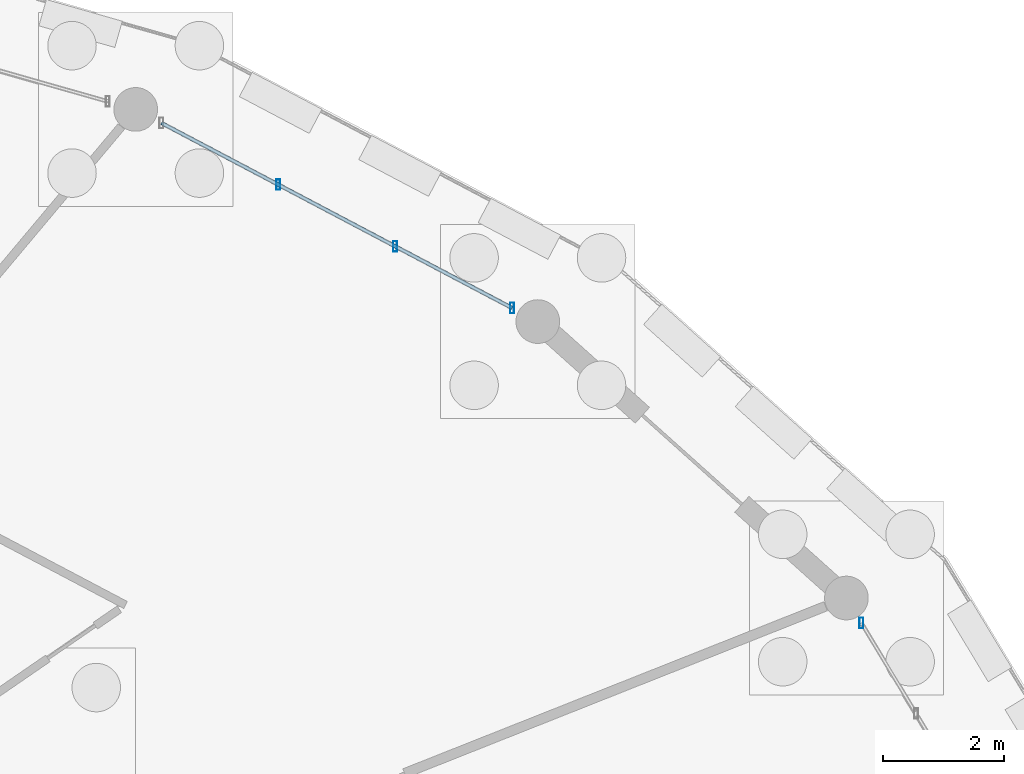
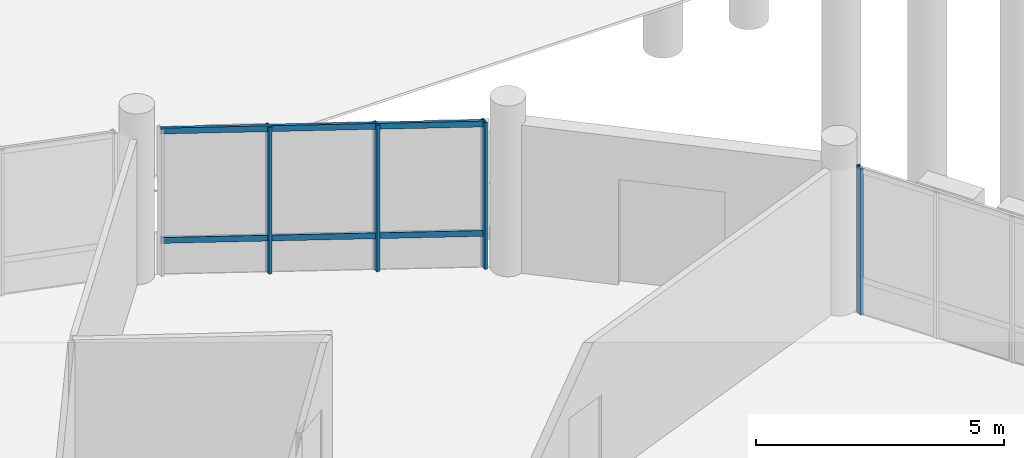
# One storey, part 42 of 98: 6 members, 2 elements without a shape of their own.
"""IFC4 building model written with IfcOpenShell, lengths in metres."""

from ifc_helpers import new_model, si_unit, direction, frame, origin, origin_2d, place, context, subcontext, project, spatial, hollow_rectangle, extrude, material, material_profile, profile_set, type_object, element, aggregate, save


model = new_model("IFC4")

# Units and contexts
model_context = context("Model", 3, precision=1e-05, world=origin(), true_north=direction((0.0, 1.0)))
body_context = subcontext(model_context, "Body", "Model", "MODEL_VIEW")
ifc_project = project(units=[si_unit("LENGTHUNIT", "METRE"), si_unit("AREAUNIT", "SQUARE_METRE"), si_unit("VOLUMEUNIT", "CUBIC_METRE"), si_unit("PLANEANGLEUNIT", "RADIAN"), si_unit("MASSUNIT", "GRAM", prefix="KILO")], contexts=[model_context])

# Site, building, storey
site_placement = place(None, origin())
site = spatial("IfcSite", under=ifc_project, at=site_placement, CompositionType="ELEMENT")
building_placement = place(site_placement, origin())
building = spatial("IfcBuilding", under=site, at=building_placement, Name="Zornivar Specialist Clinic", CompositionType="ELEMENT")
storey_placement = place(building_placement, origin())
storey = spatial("IfcBuildingStorey", under=building, at=storey_placement, Name="L00", CompositionType="ELEMENT", Elevation=0.0)

# Curtain wall, member
ifc_material_1 = material(Name="Aluminium and Low-E Glass Curtain Wall", Category="aluminium")
curtain_wall_type = type_object("IfcCurtainWallType", Name="CW-DRUM-FACET", PredefinedType="NOTDEFINED", material=ifc_material_1)
curtain_wall_1_placement = place(storey_placement, origin())
curtain_wall_1 = element("IfcCurtainWall", 1, at=curtain_wall_1_placement, inside=storey, type_object=curtain_wall_type, Name="cw:V1:L00:c01", PredefinedType="NOTDEFINED")
ifc_material_2 = material(Name="Aluminium AW-6060", Category="aluminium")
ifc_material_profile_1 = material_profile(ifc_material_2, hollow_rectangle(XDim=0.06494140625, YDim=0.175048828125, WallThickness=0.00439453125, at=origin_2d()), Name="ALU 65x175x4.5")
ifc_profile_set_1 = profile_set([ifc_material_profile_1], Name="Aluminium AW-6060")
member_type_1 = type_object("IfcMemberType", Name="CWM-MUL-175", PredefinedType="MULLION", material=ifc_profile_set_1)
member_1_placement = place(storey_placement, frame((121.56103515625, 68.18896484375, 0.0), z_axis=(0.0, 0.0, 1.0), x_axis=(1.0, 0.0, 0.0)))
member_1 = element("IfcMember", 2, at=member_1_placement, type_object=member_type_1, Name="cw:V1:L00:c01:mul:3", PredefinedType="MULLION", context=body_context, shape_type="SweptSolid", body=[
    extrude(hollow_rectangle(XDim=0.06494140625, YDim=0.175048828125, WallThickness=0.00439453125, at=origin_2d()), origin(), (0.0, 0.0, 1.0), 3.610107421875),
])
aggregate(curtain_wall_1, [member_1])

# Curtain wall, members
curtain_wall_2_placement = place(storey_placement, origin())
curtain_wall_2 = element("IfcCurtainWall", 3, at=curtain_wall_2_placement, inside=storey, type_object=curtain_wall_type, Name="cw:V1:L00:c03", PredefinedType="NOTDEFINED")
member_2_placement = place(storey_placement, frame((115.802978515625, 73.3798828125, 0.0), z_axis=(0.0, 0.0, 1.0), x_axis=(1.0, 0.0, 0.0)))
member_2 = element("IfcMember", 4, at=member_2_placement, type_object=member_type_1, Name="cw:V1:L00:c03:mul:0", PredefinedType="MULLION", context=body_context, shape_type="SweptSolid", body=[
    extrude(hollow_rectangle(XDim=0.06494140625, YDim=0.175048828125, WallThickness=0.00439453125, at=origin_2d()), origin(), (0.0, 0.0, 1.0), 3.610107421875),
])
member_3_placement = place(storey_placement, frame((113.8759765625, 74.39599609375, 0.0), z_axis=(0.0, 0.0, 1.0), x_axis=(1.0, 0.0, 0.0)))
member_3 = element("IfcMember", 5, at=member_3_placement, type_object=member_type_1, Name="cw:V1:L00:c03:mul:1", PredefinedType="MULLION", context=body_context, shape_type="SweptSolid", body=[
    extrude(hollow_rectangle(XDim=0.06494140625, YDim=0.175048828125, WallThickness=0.00439453125, at=origin_2d()), origin(), (0.0, 0.0, 1.0), 3.610107421875),
])
member_4_placement = place(storey_placement, frame((111.949951171875, 75.4130859375, 0.0), z_axis=(0.0, 0.0, 1.0), x_axis=(1.0, 0.0, 0.0)))
member_4 = element("IfcMember", 6, at=member_4_placement, type_object=member_type_1, Name="cw:V1:L00:c03:mul:2", PredefinedType="MULLION", context=body_context, shape_type="SweptSolid", body=[
    extrude(hollow_rectangle(XDim=0.06494140625, YDim=0.175048828125, WallThickness=0.00439453125, at=origin_2d()), origin(), (0.0, 0.0, 1.0), 3.610107421875),
])
ifc_material_3 = material(Name="Aluminium AW-6060", Category="aluminium")
ifc_material_profile_2 = material_profile(ifc_material_3, hollow_rectangle(XDim=0.06005859375, YDim=0.14501953125, WallThickness=0.00390625, at=origin_2d()), Name="ALU 60x145x4")
ifc_profile_set_2 = profile_set([ifc_material_profile_2], Name="Aluminium AW-6060")
member_type_2 = type_object("IfcMemberType", Name="CWM-TRN-145", PredefinedType="USERDEFINED", material=ifc_profile_set_2)
member_5_placement = place(storey_placement, frame((115.802978515625, 73.3798828125, 0.85009765625), z_axis=(-0.884446868274, 0.466640908195, 0.0), x_axis=(-0.466640908195, -0.884446868274, 0.0)))
member_5 = element("IfcMember", 7, at=member_5_placement, type_object=member_type_2, Name="cw:V1:L00:c03:trn:0", ObjectType="TRANSOM", PredefinedType="USERDEFINED", context=body_context, shape_type="SweptSolid", body=[
    extrude(hollow_rectangle(XDim=0.06005859375, YDim=0.14501953125, WallThickness=0.00390625, at=origin_2d()), origin(), (0.0, 0.0, 1.0), 6.5341796875),
])
member_6_placement = place(storey_placement, frame((115.802978515625, 73.3798828125, 3.544921875), z_axis=(-0.884446868274, 0.466640908195, 0.0), x_axis=(-0.466640908195, -0.884446868274, 0.0)))
member_6 = element("IfcMember", 8, at=member_6_placement, type_object=member_type_2, Name="cw:V1:L00:c03:trn:1", ObjectType="TRANSOM", PredefinedType="USERDEFINED", context=body_context, shape_type="SweptSolid", body=[
    extrude(hollow_rectangle(XDim=0.06005859375, YDim=0.14501953125, WallThickness=0.00390625, at=origin_2d()), origin(), (0.0, 0.0, 1.0), 6.5341796875),
])
aggregate(curtain_wall_2, [member_2, member_3, member_4, member_5, member_6])

save(model, "model.ifc")
